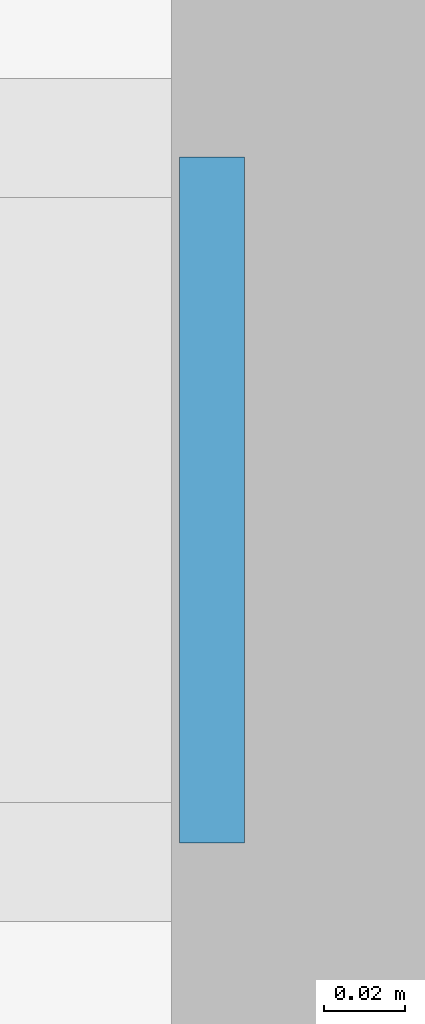
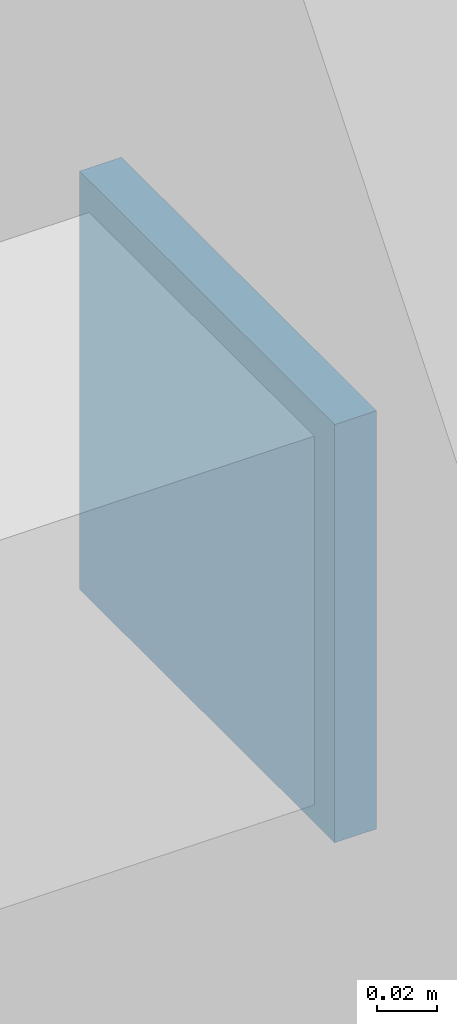
# One storey, part 158 of 188: 1 plate.
"""IFC4 building model written with IfcOpenShell, lengths in metres."""

from ifc_helpers import new_model, si_unit, direction, frame, origin, origin_2d, place, context, subcontext, project, spatial, rectangle, extrude, material, layer, layer_set, type_object, element, save


model = new_model("IFC4")

# Units and contexts
model_context = context("Model", 3, precision=1e-05, world=origin(), true_north=direction((0.0, 1.0)))
body_context = subcontext(model_context, "Body", "Model", "MODEL_VIEW")
ifc_project = project(units=[si_unit("LENGTHUNIT", "METRE"), si_unit("AREAUNIT", "SQUARE_METRE"), si_unit("VOLUMEUNIT", "CUBIC_METRE"), si_unit("PLANEANGLEUNIT", "RADIAN"), si_unit("MASSUNIT", "GRAM", prefix="KILO")], contexts=[model_context])

# Site, building, storey
site_placement = place(None, origin())
site = spatial("IfcSite", under=ifc_project, at=site_placement, CompositionType="ELEMENT")
building_placement = place(site_placement, origin())
building = spatial("IfcBuilding", under=site, at=building_placement, Name="Pandanus Reach Market Hall", CompositionType="ELEMENT")
storey_placement = place(building_placement, origin())
storey = spatial("IfcBuildingStorey", under=building, at=storey_placement, Name="L00", CompositionType="ELEMENT", Elevation=0.0)

# Plate
ifc_material = material(Name="Steel Grade 350 (350 MPa)", Category="steel")
ifc_layer = layer(ifc_material, 0.01611328125, Name="CP-PL16")
ifc_layer_set = layer_set([ifc_layer], Name="Steel Grade 350 (350 MPa)")
plate_type = type_object("IfcPlateType", Name="CP-PL16", PredefinedType="SHEET", material=ifc_layer_set)
plate_placement = place(storey_placement, frame((131.7099609375, 38.39990234375, 3.06494140625), z_axis=(0.0, 0.0, 1.0), x_axis=(1.0, 0.0, 0.0)))
element("IfcPlate", 1, at=plate_placement, inside=storey, type_object=plate_type, Name="Hollow lintel end cap plate CP-PL16 6B", PredefinedType="SHEET", context=body_context, shape_type="SweptSolid", body=[
    extrude(rectangle(XDim=0.01611328125, YDim=0.169921875, at=origin_2d()), origin(), (0.0, 0.0, 1.0), 0.169921875),
])

save(model, "model.ifc")
